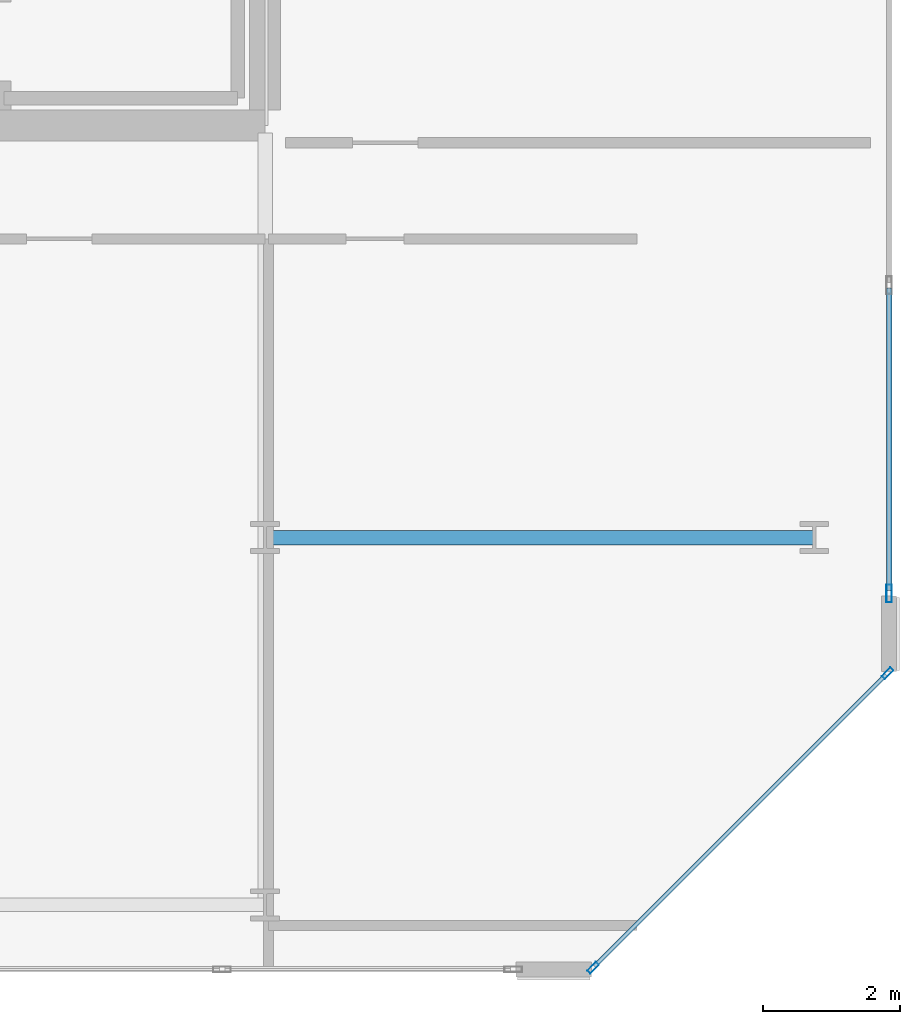
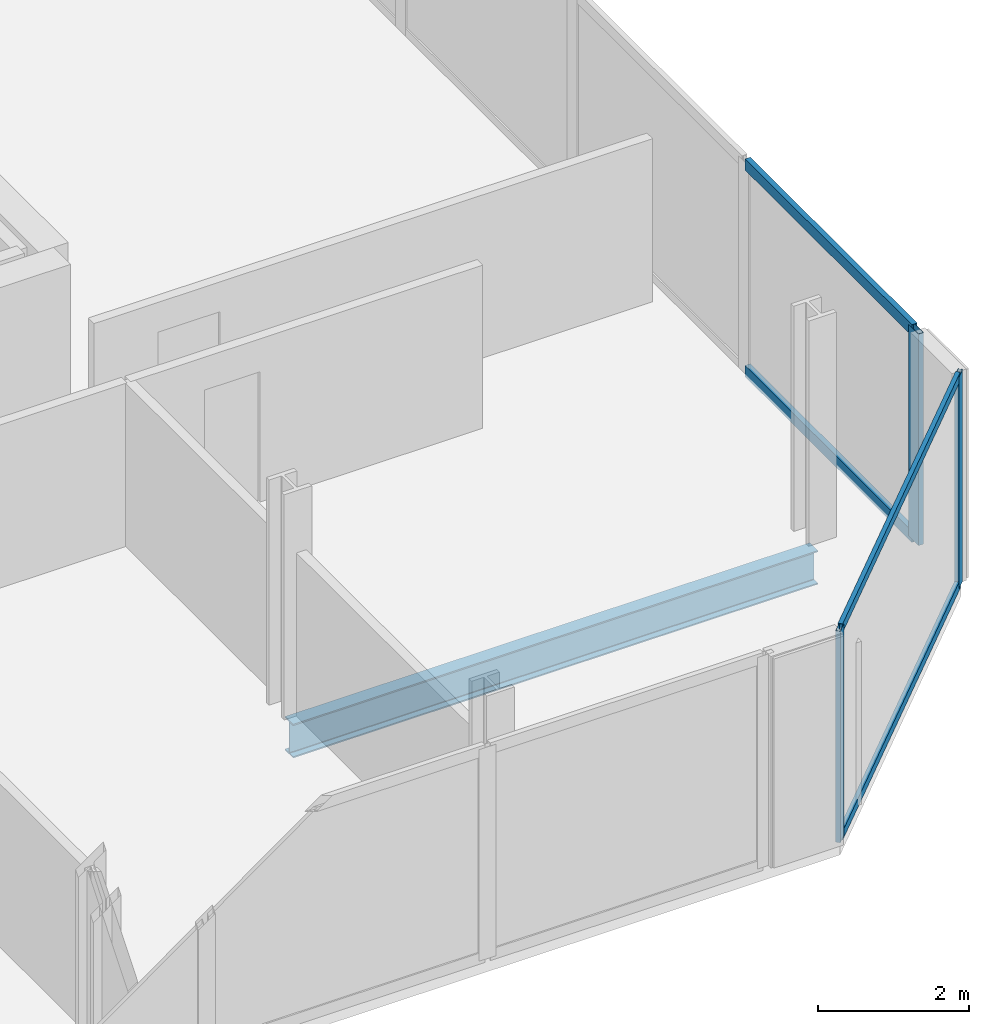
# One storey, part 9 of 19: 7 members, 1 beam, 2 elements without a shape of their own.
"""IFC4 building model written with IfcOpenShell, lengths in metres."""

import ifcopenshell
import ifcopenshell.guid

model = None  # the IFC model being written
_history = None  # IfcOwnerHistory: only IFC2X3 demands one
_inside = {}  # id of a spatial element -> (the spatial element, [elements in it])
_under = {}  # id of a project, library or spatial element -> (it, [spatial elements below it])
_declared = {}  # id of a project -> (the project, [libraries it declares])
_typed = {}  # id of a type object -> (the type object, [elements of that type])
_made_of = {}  # id of a material, layer set ... -> (it, [elements and type objects made of it])


def new_model(schema):
    """Start an empty IFC model of exactly this schema.

    Asked for "IFC4X3", IfcOpenShell would pick the latest addendum, in which some entities
    have other attributes; the version numbers below select the first issue.
    IFC2X3 requires an IfcOwnerHistory on every rooted entity: one is made here for all.
    """
    global model, _history
    if schema == "IFC4X3":
        model = ifcopenshell.file(schema_version=(4, 3, 0, 0))
    else:
        model = ifcopenshell.file(schema=schema)
    _inside.clear()
    _under.clear()
    _declared.clear()
    _typed.clear()
    _made_of.clear()
    _history = None
    if model.schema == "IFC2X3":
        org = make("IfcOrganization", Name="unknown")
        user = make(
            "IfcPersonAndOrganization",
            ThePerson=make("IfcPerson", FamilyName="unknown"),
            TheOrganization=org,
        )
        app = make(
            "IfcApplication",
            ApplicationDeveloper=org,
            Version="unknown",
            ApplicationFullName="unknown",
            ApplicationIdentifier="unknown",
        )
        _history = make(
            "IfcOwnerHistory",
            OwningUser=user,
            OwningApplication=app,
            ChangeAction="ADDED",
            CreationDate=0,
        )
    return model


def make(cls, **values):
    """One entity of the class cls with the attributes given. An attribute that is None is left unset."""
    return model.create_entity(
        cls, **{name: value for name, value in values.items() if value is not None}
    )


def rooted(cls, **values):
    """An entity with a GlobalId (a new one), such as an element, a storey or a relation."""
    return make(cls, GlobalId=ifcopenshell.guid.new(), OwnerHistory=_history, **values)


def si_unit(unit_type, name, prefix=None):
    """IfcSIUnit, for example si_unit("LENGTHUNIT", "METRE", prefix="MILLI")."""
    return make("IfcSIUnit", UnitType=unit_type, Prefix=prefix, Name=name)


def assignment(units):
    """IfcUnitAssignment: the units of a project."""
    return None if units is None else make("IfcUnitAssignment", Units=units)


def point(xyz):
    """IfcCartesianPoint."""
    return None if xyz is None else make("IfcCartesianPoint", Coordinates=xyz)


def direction(xyz):
    """IfcDirection."""
    return None if xyz is None else make("IfcDirection", DirectionRatios=xyz)


def frame(location, z_axis=None, x_axis=None):
    """IfcAxis2Placement3D, a coordinate frame: its origin and axes. An axis left out is left unset."""
    return make(
        "IfcAxis2Placement3D",
        Location=point(location),
        Axis=direction(z_axis),
        RefDirection=direction(x_axis),
    )


def frame_2d(location, x_axis=None):
    """IfcAxis2Placement2D, a coordinate frame in the plane: its origin and x axis."""
    return make(
        "IfcAxis2Placement2D", Location=point(location), RefDirection=direction(x_axis)
    )


def origin():
    """The frame at (0, 0, 0) with its axes left unset."""
    return frame((0.0, 0.0, 0.0))


def origin_2d():
    """The frame at (0, 0) in the plane with its x axis left unset."""
    return frame_2d((0.0, 0.0))


def place(relative_to, where):
    """IfcLocalPlacement: puts the frame where relative to a parent placement (None: the world)."""
    return make(
        "IfcLocalPlacement", PlacementRelTo=relative_to, RelativePlacement=where
    )


def context(
    kind, dimensions, precision=None, world=None, true_north=None, identifier=None
):
    """IfcGeometricRepresentationContext, for example the 3D "Model" context."""
    return make(
        "IfcGeometricRepresentationContext",
        ContextIdentifier=identifier,
        ContextType=kind,
        CoordinateSpaceDimension=dimensions,
        Precision=precision,
        WorldCoordinateSystem=world,
        TrueNorth=true_north,
    )


def subcontext(parent, identifier, kind, view, scale=None):
    """IfcGeometricRepresentationSubContext, for example "Body" below "Model"."""
    return make(
        "IfcGeometricRepresentationSubContext",
        ContextIdentifier=identifier,
        ContextType=kind,
        ParentContext=parent,
        TargetScale=scale,
        TargetView=view,
    )


def project(units=None, contexts=None):
    """IfcProject with its units and contexts."""
    return rooted(
        "IfcProject",
        Name="project",
        RepresentationContexts=contexts,
        UnitsInContext=assignment(units),
    )


def spatial(cls, under=None, at=None, **own):
    """A site, building, storey or space (cls), placed at a placement, below another one or the project."""
    s = rooted(cls, ObjectPlacement=at, **own)
    if under is not None:
        _under.setdefault(under.id(), (under, []))[1].append(s)
    return s


def profile(cls, at=None, kind="AREA", **sizes):
    """A parametric profile (cls). Its sizes go by their IFC names, for example OverallWidth=200.0."""
    return make(cls, ProfileType=kind, Position=at, **sizes)


def hollow_rectangle(**sizes):
    """IfcRectangleHollowProfileDef."""
    return profile("IfcRectangleHollowProfileDef", **sizes)


def i_section(**sizes):
    """IfcIShapeProfileDef."""
    return profile("IfcIShapeProfileDef", **sizes)


def extrude(swept, where, along, depth):
    """IfcExtrudedAreaSolid: the profile swept, set in the frame where, extruded along a direction by depth."""
    return make(
        "IfcExtrudedAreaSolid",
        SweptArea=swept,
        Position=where,
        ExtrudedDirection=direction(along),
        Depth=depth,
    )


def shape(context_of_items, identifier, shape_type, items):
    """IfcShapeRepresentation: the items that make up one representation, for example the "Body"."""
    return make(
        "IfcShapeRepresentation",
        ContextOfItems=context_of_items,
        RepresentationIdentifier=identifier,
        RepresentationType=shape_type,
        Items=items,
    )


def material(Name=None, Category=None):
    """IfcMaterial."""
    return make("IfcMaterial", Name=Name, Category=Category)


def layer(
    of_material, thickness, ventilated=None, Name=None, Category=None, Priority=None
):
    """IfcMaterialLayer: one layer of a wall or slab, of a material (None: an air gap)."""
    return make(
        "IfcMaterialLayer",
        Material=of_material,
        LayerThickness=thickness,
        IsVentilated=ventilated,
        Name=Name,
        Category=Category,
        Priority=Priority,
    )


def layer_set(layers, Name=None):
    """IfcMaterialLayerSet."""
    return make("IfcMaterialLayerSet", MaterialLayers=layers, LayerSetName=Name)


def material_profile(
    of_material, cross_section, Name=None, Category=None, Priority=None
):
    """IfcMaterialProfile: a cross section and its material."""
    return make(
        "IfcMaterialProfile",
        Name=Name,
        Material=of_material,
        Profile=cross_section,
        Priority=Priority,
        Category=Category,
    )


def profile_set(profiles, Name=None, composite=None):
    """IfcMaterialProfileSet."""
    return make(
        "IfcMaterialProfileSet",
        Name=Name,
        MaterialProfiles=profiles,
        CompositeProfile=composite,
    )


def made_of(thing, what):
    """Note that an element or type object is made of a material, layer set ...; save() writes the relation."""
    if what is not None:
        _made_of.setdefault(what.id(), (what, []))[1].append(thing)
    return thing


def type_object(cls, material=None, **own):
    """A type object (cls), such as IfcWallType, which elements share."""
    return made_of(rooted(cls, **own), material)


def element(
    cls,
    number,
    at=None,
    inside=None,
    cuts=None,
    type_object=None,
    material=None,
    context=None,
    identifier="Body",
    shape_type=None,
    held_by="IfcProductDefinitionShape",
    body=None,
    shapes=None,
    **own,
):
    """One element of the class cls, such as IfcWall. Its Tag is "e" and its number.

    at: its placement. inside: the storey or other place that contains it. cuts: it is an
    opening in that element (IfcRelVoidsElement). A single representation is given by context,
    identifier, shape_type and body (its items); several are given by shapes. held_by: the class
    of the entity that holds the representations. save() writes the other relations.
    """
    e = rooted(cls, Tag="e%d" % number, ObjectPlacement=at, **own)
    if body is not None:
        shapes = [shape(context, identifier, shape_type, body)]
    if shapes is not None:
        e.Representation = make(held_by, Representations=shapes)
    if inside is not None:
        _inside.setdefault(inside.id(), (inside, []))[1].append(e)
    if cuts is not None:
        rooted(
            "IfcRelVoidsElement", RelatingBuildingElement=cuts, RelatedOpeningElement=e
        )
    if type_object is not None:
        _typed.setdefault(type_object.id(), (type_object, []))[1].append(e)
    return made_of(e, material)


def aggregate(whole, parts):
    """IfcRelAggregates: a whole, such as a stair, and the parts it consists of."""
    return rooted("IfcRelAggregates", RelatingObject=whole, RelatedObjects=parts)


def save(model, path):
    """Write the relations noted so far, then the file.

    IfcRelAggregates (storeys below a building ...), IfcRelContainedInSpatialStructure (elements
    in a storey), IfcRelDefinesByType, IfcRelAssociatesMaterial and IfcRelDeclares: one each for
    every whole, place, type object, material and project.
    """
    for whole, parts in _under.values():
        aggregate(whole, parts)
    for where, things in _inside.values():
        rooted(
            "IfcRelContainedInSpatialStructure",
            RelatedElements=things,
            RelatingStructure=where,
        )
    for kind, things in _typed.values():
        rooted("IfcRelDefinesByType", RelatedObjects=things, RelatingType=kind)
    for what, things in _made_of.values():
        rooted("IfcRelAssociatesMaterial", RelatedObjects=things, RelatingMaterial=what)
    for by, libraries in _declared.values():
        rooted("IfcRelDeclares", RelatingContext=by, RelatedDefinitions=libraries)
    model.write(path)


model = new_model("IFC4")

# Units and contexts
model_context = context("Model", 3, precision=1e-05, world=origin(), true_north=direction((0.0, 1.0)))
body_context = subcontext(model_context, "Body", "Model", "MODEL_VIEW")
ifc_project = project(units=[si_unit("LENGTHUNIT", "METRE"), si_unit("AREAUNIT", "SQUARE_METRE"), si_unit("VOLUMEUNIT", "CUBIC_METRE"), si_unit("PLANEANGLEUNIT", "RADIAN"), si_unit("MASSUNIT", "GRAM", prefix="KILO")], contexts=[model_context])

# Site, building, storey
site_placement = place(None, origin())
site = spatial("IfcSite", under=ifc_project, at=site_placement, CompositionType="ELEMENT")
building_placement = place(site_placement, origin())
building = spatial("IfcBuilding", under=site, at=building_placement, Name="Tanjung Sevakor Pilgrim Tower", CompositionType="ELEMENT")
storey_placement = place(building_placement, frame((0.0, 0.0, 260.699951171875)))
storey = spatial("IfcBuildingStorey", under=building, at=storey_placement, Name="L73", CompositionType="ELEMENT", Elevation=260.699951171875)

# Beam
ifc_material_1 = material(Name="Steel S355J2", Category="steel")
ifc_material_profile_1 = material_profile(ifc_material_1, i_section(OverallWidth=0.2119140625, OverallDepth=0.54443359375, WebThickness=0.0126953125, FlangeThickness=0.021240234375, FilletRadius=0.0126953125, at=origin_2d()))
ifc_profile_set_1 = profile_set([ifc_material_profile_1], Name="Steel S355J2")
beam_type = type_object("IfcBeamType", Name="BM-B-G5-UB_533x210x122", PredefinedType="BEAM", material=ifc_profile_set_1)
beam_placement = place(storey_placement, frame((90.0, 18.60009765625, -0.4921875), z_axis=(1.0, 0.0, 0.0), x_axis=(0.0, 1.0, 0.0)))
element("IfcBeam", 1, at=beam_placement, inside=storey, type_object=beam_type, Name="L73 East Peak Wing Girder Y18.6", PredefinedType="BEAM", context=body_context, shape_type="SweptSolid", body=[
    extrude(i_section(OverallWidth=0.2119140625, OverallDepth=0.54443359375, WebThickness=0.0126953125, FlangeThickness=0.021240234375, FilletRadius=0.0126953125, at=origin_2d()), origin(), (0.0, 0.0, 1.0), 8.0),
])

# Curtain wall, members
ifc_material_2 = material(Name="Aluminium 6063-T6 and Low-E Glass", Category="aluminium")
ifc_layer_1 = layer(ifc_material_2, 0.179931640625)
ifc_layer_set_1 = layer_set([ifc_layer_1], Name="CW-SYS-CHAM")
curtain_wall_type_1 = type_object("IfcCurtainWallType", Name="CW-SYS-CHAM", PredefinedType="NOTDEFINED", material=ifc_layer_set_1)
curtain_wall_1_placement = place(storey_placement, origin())
curtain_wall_1 = element("IfcCurtainWall", 2, at=curtain_wall_1_placement, inside=storey, type_object=curtain_wall_type_1, Name="L73 Curtain Wall CW-CHM-L73-EAST-1", PredefinedType="NOTDEFINED")
ifc_material_3 = material(Name="Aluminium 6063-T6", Category="aluminium")
ifc_material_profile_2 = material_profile(ifc_material_3, hollow_rectangle(XDim=0.06494140625, YDim=0.179931640625, WallThickness=0.00390625, at=origin_2d()))
ifc_profile_set_2 = profile_set([ifc_material_profile_2], Name="Aluminium 6063-T6")
member_type_1 = type_object("IfcMemberType", Name="TYPE-CWM-1", PredefinedType="MULLION", material=ifc_profile_set_2)
member_1_placement = place(storey_placement, frame((94.77734375, 12.3330078125, 0.0), z_axis=(0.0, 0.0, 1.0), x_axis=(-0.707106781187, 0.707106781187, 0.0)))
member_1 = element("IfcMember", 3, at=member_1_placement, type_object=member_type_1, Name="CW-CHM mullion 1", PredefinedType="MULLION", context=body_context, shape_type="SweptSolid", body=[
    extrude(hollow_rectangle(XDim=0.06494140625, YDim=0.179931640625, WallThickness=0.00390625, at=origin_2d()), origin(), (0.0, 0.0, 1.0), 3.41015625),
])
member_2_placement = place(storey_placement, frame((99.067138671875, 16.62255859375, 0.0), z_axis=(0.0, 0.0, 1.0), x_axis=(-0.707106781187, 0.707106781187, 0.0)))
member_2 = element("IfcMember", 4, at=member_2_placement, type_object=member_type_1, Name="CW-CHM mullion 2", PredefinedType="MULLION", context=body_context, shape_type="SweptSolid", body=[
    extrude(hollow_rectangle(XDim=0.06494140625, YDim=0.179931640625, WallThickness=0.00390625, at=origin_2d()), origin(), (0.0, 0.0, 1.0), 3.41015625),
])

# Curtain wall, member
ifc_material_4 = material(Name="Aluminium 6063-T6 and Low-E Glass", Category="aluminium")
ifc_layer_2 = layer(ifc_material_4, 0.219970703125)
ifc_layer_set_2 = layer_set([ifc_layer_2], Name="CW-SYS-CRNE")
curtain_wall_type_2 = type_object("IfcCurtainWallType", Name="CW-SYS-CRNE", PredefinedType="NOTDEFINED", material=ifc_layer_set_2)
curtain_wall_2_placement = place(storey_placement, origin())
curtain_wall_2 = element("IfcCurtainWall", 5, at=curtain_wall_2_placement, inside=storey, type_object=curtain_wall_type_2, Name="L73 Curtain Wall CW-CRN-L73-EAST-2-1", PredefinedType="NOTDEFINED")
ifc_material_5 = material(Name="Aluminium 6063-T6", Category="aluminium")
ifc_material_profile_3 = material_profile(ifc_material_5, hollow_rectangle(XDim=0.080078125, YDim=0.260009765625, WallThickness=0.0048828125, at=origin_2d()))
ifc_profile_set_3 = profile_set([ifc_material_profile_3], Name="Aluminium 6063-T6")
member_type_2 = type_object("IfcMemberType", Name="TYPE-CWM-3", PredefinedType="MULLION", material=ifc_profile_set_3)
member_3_placement = place(storey_placement, frame((99.090087890625, 17.78564453125, 0.0), z_axis=(0.0, 0.0, 1.0), x_axis=(-1.0, 0.0, 0.0)))
member_3 = element("IfcMember", 6, at=member_3_placement, type_object=member_type_2, Name="CW-CRE mullion 1", PredefinedType="MULLION", context=body_context, shape_type="SweptSolid", body=[
    extrude(hollow_rectangle(XDim=0.080078125, YDim=0.260009765625, WallThickness=0.0048828125, at=origin_2d()), origin(), (0.0, 0.0, 1.0), 3.41015625),
])

# Member
ifc_material_6 = material(Name="Aluminium 6063-T6", Category="aluminium")
ifc_material_profile_4 = material_profile(ifc_material_6, hollow_rectangle(XDim=0.06494140625, YDim=0.139892578125, WallThickness=0.00390625, at=origin_2d()))
ifc_profile_set_4 = profile_set([ifc_material_profile_4], Name="Aluminium 6063-T6")
member_type_3 = type_object("IfcMemberType", Name="TYPE-CWT-1", PredefinedType="USERDEFINED", material=ifc_profile_set_4)
member_4_placement = place(storey_placement, frame((94.80029296875, 12.35595703125, 0.032470703125), z_axis=(0.707106781187, 0.707106781187, 0.0), x_axis=(-0.707106781187, 0.707106781187, 0.0)))
member_4 = element("IfcMember", 7, at=member_4_placement, type_object=member_type_3, Name="CW-CHM transom 1.1", ObjectType="TRANSOM", PredefinedType="USERDEFINED", context=body_context, shape_type="SweptSolid", body=[
    extrude(hollow_rectangle(XDim=0.06494140625, YDim=0.139892578125, WallThickness=0.00390625, at=origin_2d()), origin(), (0.0, 0.0, 1.0), 6.00146484375),
])

member_5_placement = place(storey_placement, frame((94.80029296875, 12.35595703125, 3.37744140625), z_axis=(0.707106781187, 0.707106781187, 0.0), x_axis=(-0.707106781187, 0.707106781187, 0.0)))
member_5 = element("IfcMember", 8, at=member_5_placement, type_object=member_type_3, Name="CW-CHM transom 1.2", ObjectType="TRANSOM", PredefinedType="USERDEFINED", context=body_context, shape_type="SweptSolid", body=[
    extrude(hollow_rectangle(XDim=0.06494140625, YDim=0.139892578125, WallThickness=0.00390625, at=origin_2d()), origin(), (0.0, 0.0, 1.0), 6.00146484375),
])

aggregate(curtain_wall_1, [member_1, member_2, member_4, member_5])

ifc_material_7 = material(Name="Aluminium 6063-T6", Category="aluminium")
ifc_material_profile_5 = material_profile(ifc_material_7, hollow_rectangle(XDim=0.080078125, YDim=0.179931640625, WallThickness=0.0048828125, at=origin_2d()))
ifc_profile_set_5 = profile_set([ifc_material_profile_5], Name="Aluminium 6063-T6")
member_type_4 = type_object("IfcMemberType", Name="TYPE-CWT-3", PredefinedType="USERDEFINED", material=ifc_profile_set_5)
member_6_placement = place(storey_placement, frame((99.090087890625, 17.82568359375, 0.0400390625), z_axis=(0.0, 1.0, 0.0), x_axis=(-1.0, 0.0, 0.0)))
member_6 = element("IfcMember", 9, at=member_6_placement, type_object=member_type_4, Name="CW-CRE transom 1.1", ObjectType="TRANSOM", PredefinedType="USERDEFINED", context=body_context, shape_type="SweptSolid", body=[
    extrude(hollow_rectangle(XDim=0.080078125, YDim=0.179931640625, WallThickness=0.0048828125, at=origin_2d()), origin(), (0.0, 0.0, 1.0), 4.40966796875),
])

member_7_placement = place(storey_placement, frame((99.090087890625, 17.82568359375, 3.3701171875), z_axis=(0.0, 1.0, 0.0), x_axis=(-1.0, 0.0, 0.0)))
member_7 = element("IfcMember", 10, at=member_7_placement, type_object=member_type_4, Name="CW-CRE transom 1.2", ObjectType="TRANSOM", PredefinedType="USERDEFINED", context=body_context, shape_type="SweptSolid", body=[
    extrude(hollow_rectangle(XDim=0.080078125, YDim=0.179931640625, WallThickness=0.0048828125, at=origin_2d()), origin(), (0.0, 0.0, 1.0), 4.40966796875),
])

aggregate(curtain_wall_2, [member_3, member_6, member_7])

save(model, "model.ifc")
